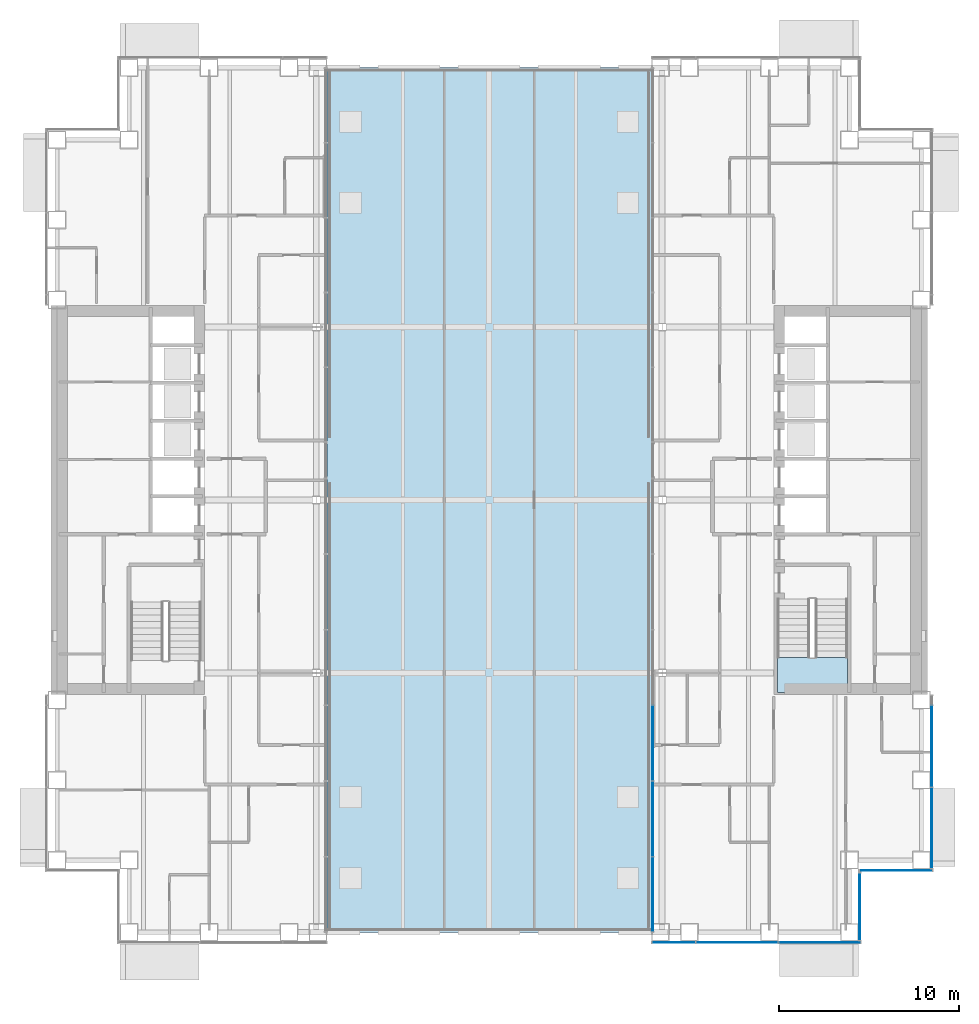
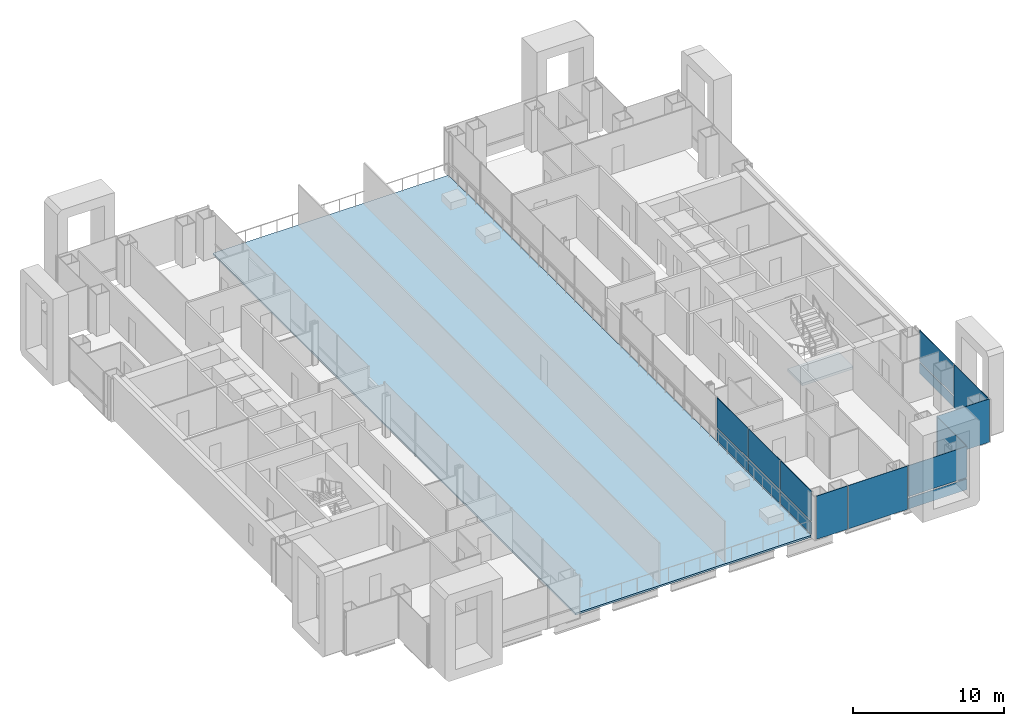
# One storey, part 13 of 24: 15 plates, 2 slabs, 6 elements without a shape of their own.
"""IFC4 building model written with IfcOpenShell, lengths in metres."""

from ifc_helpers import new_model, si_unit, direction, frame, origin, origin_2d, place, context, subcontext, project, spatial, polyline, rectangle, outline, extrude, material, layer, layer_set, type_object, element, aggregate, save


model = new_model("IFC4")

# Units and contexts
model_context = context("Model", 3, precision=1e-05, world=origin(), true_north=direction((0.0, 1.0)))
body_context = subcontext(model_context, "Body", "Model", "MODEL_VIEW")
ifc_project = project(units=[si_unit("LENGTHUNIT", "METRE"), si_unit("AREAUNIT", "SQUARE_METRE"), si_unit("VOLUMEUNIT", "CUBIC_METRE"), si_unit("PLANEANGLEUNIT", "RADIAN"), si_unit("MASSUNIT", "GRAM", prefix="KILO")], contexts=[model_context])

# Site, building, storey
site_placement = place(None, origin())
site = spatial("IfcSite", under=ifc_project, at=site_placement, CompositionType="ELEMENT")
building_placement = place(site_placement, origin())
building = spatial("IfcBuilding", under=site, at=building_placement, Name="Cobrizo Arcos Hotel Tower", CompositionType="ELEMENT")
storey_placement = place(building_placement, frame((0.0, 0.0, 60.0)))
storey = spatial("IfcBuildingStorey", under=building, at=storey_placement, Name="L13", CompositionType="ELEMENT", Elevation=60.0)

# Curtain wall, plate
ifc_material_1 = material(Name="Aluminium 6063-T6 anodised bronze", Category="aluminium")
curtain_wall_type_1 = type_object("IfcCurtainWallType", Name="CW-A guest facade", PredefinedType="NOTDEFINED", material=ifc_material_1)
curtain_wall_1_placement = place(storey_placement, origin())
curtain_wall_1 = element("IfcCurtainWall", 1, at=curtain_wall_1_placement, inside=storey, type_object=curtain_wall_type_1, Name="CW-A L13 S face", PredefinedType="NOTDEFINED")
ifc_material_2 = material(Name="Glass clear laminated low-e", Category="glass")
ifc_layer_1 = layer(ifc_material_2, 0.0400390625)
ifc_layer_set_1 = layer_set([ifc_layer_1], Name="CW-A glass panel")
plate_type_1 = type_object("IfcPlateType", Name="CW-A glass panel", PredefinedType="CURTAIN_PANEL", material=ifc_layer_set_1)
plate_1_placement = place(storey_placement, frame((18.340576171875, -24.574951171875, 0.990234375), z_axis=(0.0, 0.0, 1.0), x_axis=(1.0, 0.0, 0.0)))
plate_1 = element("IfcPlate", 2, at=plate_1_placement, type_object=plate_type_1, Name="CW-A glass panel 594", PredefinedType="CURTAIN_PANEL", context=body_context, shape_type="SweptSolid", body=[
    extrude(rectangle(XDim=4.498779296875, YDim=0.0400390625, at=origin_2d()), origin(), (0.0, 0.0, 1.0), 2.510009765625),
])

curtain_wall_2_placement = place(storey_placement, origin())
curtain_wall_2 = element("IfcCurtainWall", 3, at=curtain_wall_2_placement, inside=storey, type_object=curtain_wall_type_1, Name="CW-A L13 E face", PredefinedType="NOTDEFINED")
plate_2_placement = place(storey_placement, frame((24.574951171875, -13.666748046875, 0.990234375), z_axis=(0.0, 0.0, 1.0), x_axis=(0.0, 1.0, 0.0)))
plate_2 = element("IfcPlate", 4, at=plate_2_placement, type_object=plate_type_1, Name="CW-A glass panel 598", PredefinedType="CURTAIN_PANEL", context=body_context, shape_type="SweptSolid", body=[
    extrude(rectangle(XDim=4.49560546875, YDim=0.0400390625, at=origin_2d()), origin(), (0.0, 0.0, 1.0), 2.510009765625),
])

# Plate
ifc_material_3 = material(Name="Aluminium composite panel pale metal", Category="aluminium")
ifc_layer_2 = layer(ifc_material_3, 0.0400390625)
ifc_layer_set_2 = layer_set([ifc_layer_2], Name="CW-A spandrel panel")
plate_type_2 = type_object("IfcPlateType", Name="CW-A spandrel panel", PredefinedType="CURTAIN_PANEL", material=ifc_layer_set_2)
plate_3_placement = place(storey_placement, frame((10.251220703125, -24.574951171875, 0.0), z_axis=(0.0, 0.0, 1.0), x_axis=(1.0, 0.0, 0.0)))
plate_3 = element("IfcPlate", 5, at=plate_3_placement, type_object=plate_type_2, Name="CW-A spandrel panel 592", PredefinedType="CURTAIN_PANEL", context=body_context, shape_type="SweptSolid", body=[
    extrude(rectangle(XDim=2.38232421875, YDim=0.0400390625, at=origin_2d()), origin(), (0.0, 0.0, 1.0), 3.5),
])

plate_4_placement = place(storey_placement, frame((13.7666015625, -24.574951171875, 0.0), z_axis=(0.0, 0.0, 1.0), x_axis=(1.0, 0.0, 0.0)))
plate_4 = element("IfcPlate", 6, at=plate_4_placement, type_object=plate_type_2, Name="CW-A spandrel panel 593", PredefinedType="CURTAIN_PANEL", context=body_context, shape_type="SweptSolid", body=[
    extrude(rectangle(XDim=4.52880859375, YDim=0.0400390625, at=origin_2d()), origin(), (0.0, 0.0, 1.0), 3.5),
])

plate_5_placement = place(storey_placement, frame((18.340576171875, -24.574951171875, 0.0), z_axis=(0.0, 0.0, 1.0), x_axis=(1.0, 0.0, 0.0)))
plate_5 = element("IfcPlate", 7, at=plate_5_placement, type_object=plate_type_2, Name="CW-A spandrel panel 594", PredefinedType="CURTAIN_PANEL", context=body_context, shape_type="SweptSolid", body=[
    extrude(rectangle(XDim=4.498779296875, YDim=0.0400390625, at=origin_2d()), origin(), (0.0, 0.0, 1.0), 0.8701171875),
])

aggregate(curtain_wall_1, [plate_3, plate_4, plate_5, plate_1])

# Curtain wall, plate
curtain_wall_3_placement = place(storey_placement, origin())
curtain_wall_3 = element("IfcCurtainWall", 8, at=curtain_wall_3_placement, inside=storey, type_object=curtain_wall_type_1, Name="CW-A L13 E face", PredefinedType="NOTDEFINED")
plate_6_placement = place(storey_placement, frame((20.574951171875, -22.574951171875, 0.0), z_axis=(0.0, 0.0, 1.0), x_axis=(0.0, 1.0, 0.0)))
plate_6 = element("IfcPlate", 9, at=plate_6_placement, type_object=plate_type_2, Name="CW-A spandrel panel 595", PredefinedType="CURTAIN_PANEL", context=body_context, shape_type="SweptSolid", body=[
    extrude(rectangle(XDim=3.72998046875, YDim=0.0400390625, at=origin_2d()), origin(), (0.0, 0.0, 1.0), 3.5),
])
aggregate(curtain_wall_3, [plate_6])

curtain_wall_4_placement = place(storey_placement, origin())
curtain_wall_4 = element("IfcCurtainWall", 10, at=curtain_wall_4_placement, inside=storey, type_object=curtain_wall_type_1, Name="CW-A L13 S face", PredefinedType="NOTDEFINED")
plate_7_placement = place(storey_placement, frame((22.574951171875, -20.574951171875, 0.0), z_axis=(0.0, 0.0, 1.0), x_axis=(1.0, 0.0, 0.0)))
plate_7 = element("IfcPlate", 11, at=plate_7_placement, type_object=plate_type_2, Name="CW-A spandrel panel 596", PredefinedType="CURTAIN_PANEL", context=body_context, shape_type="SweptSolid", body=[
    extrude(rectangle(XDim=4.030029296875, YDim=0.0400390625, at=origin_2d()), origin(), (0.0, 0.0, 1.0), 3.5),
])
aggregate(curtain_wall_4, [plate_7])

# Plate
plate_8_placement = place(storey_placement, frame((24.574951171875, -18.207275390625, 0.0), z_axis=(0.0, 0.0, 1.0), x_axis=(0.0, 1.0, 0.0)))
plate_8 = element("IfcPlate", 12, at=plate_8_placement, type_object=plate_type_2, Name="CW-A spandrel panel 597", PredefinedType="CURTAIN_PANEL", context=body_context, shape_type="SweptSolid", body=[
    extrude(rectangle(XDim=4.465576171875, YDim=0.0400390625, at=origin_2d()), origin(), (0.0, 0.0, 1.0), 3.5),
])

plate_9_placement = place(storey_placement, frame((24.574951171875, -13.666748046875, 0.0), z_axis=(0.0, 0.0, 1.0), x_axis=(0.0, 1.0, 0.0)))
plate_9 = element("IfcPlate", 13, at=plate_9_placement, type_object=plate_type_2, Name="CW-A spandrel panel 598", PredefinedType="CURTAIN_PANEL", context=body_context, shape_type="SweptSolid", body=[
    extrude(rectangle(XDim=4.49560546875, YDim=0.0400390625, at=origin_2d()), origin(), (0.0, 0.0, 1.0), 0.8701171875),
])

aggregate(curtain_wall_2, [plate_8, plate_9, plate_2])

# Curtain wall, plates
curtain_wall_type_2 = type_object("IfcCurtainWallType", Name="CW-F void screen", PredefinedType="NOTDEFINED", material=ifc_material_1)
curtain_wall_5_placement = place(storey_placement, origin())
curtain_wall_5 = element("IfcCurtainWall", 14, at=curtain_wall_5_placement, inside=storey, type_object=curtain_wall_type_2, Name="CW-F L13 void screen A", PredefinedType="NOTDEFINED")
ifc_layer_3 = layer(ifc_material_2, 0.0400390625)
ifc_layer_set_3 = layer_set([ifc_layer_3], Name="CW-F glass panel")
plate_type_3 = type_object("IfcPlateType", Name="CW-F glass panel", PredefinedType="CURTAIN_PANEL", material=ifc_layer_set_3)
plate_10_placement = place(storey_placement, frame((9.074951171875, -21.885009765625, 0.0), z_axis=(0.0, 0.0, 1.0), x_axis=(0.0, 1.0, 0.0)))
plate_10 = element("IfcPlate", 15, at=plate_10_placement, type_object=plate_type_3, Name="CW-F glass panel 2426", PredefinedType="CURTAIN_PANEL", context=body_context, shape_type="SweptSolid", body=[
    extrude(rectangle(XDim=4.110107421875, YDim=0.0400390625, at=origin_2d()), origin(), (0.0, 0.0, 1.0), 0.989990234375),
])
plate_11_placement = place(storey_placement, frame((9.074951171875, -21.885009765625, 1.10986328125), z_axis=(0.0, 0.0, 1.0), x_axis=(0.0, 1.0, 0.0)))
plate_11 = element("IfcPlate", 16, at=plate_11_placement, type_object=plate_type_3, Name="CW-F glass panel 2426", PredefinedType="CURTAIN_PANEL", context=body_context, shape_type="SweptSolid", body=[
    extrude(rectangle(XDim=4.110107421875, YDim=0.0400390625, at=origin_2d()), origin(), (0.0, 0.0, 1.0), 2.389892578125),
])
plate_12_placement = place(storey_placement, frame((9.074951171875, -17.699951171875, 0.0), z_axis=(0.0, 0.0, 1.0), x_axis=(0.0, 1.0, 0.0)))
plate_12 = element("IfcPlate", 17, at=plate_12_placement, type_object=plate_type_3, Name="CW-F glass panel 2427", PredefinedType="CURTAIN_PANEL", context=body_context, shape_type="SweptSolid", body=[
    extrude(rectangle(XDim=4.139892578125, YDim=0.0400390625, at=origin_2d()), origin(), (0.0, 0.0, 1.0), 0.989990234375),
])
plate_13_placement = place(storey_placement, frame((9.074951171875, -17.699951171875, 1.10986328125), z_axis=(0.0, 0.0, 1.0), x_axis=(0.0, 1.0, 0.0)))
plate_13 = element("IfcPlate", 18, at=plate_13_placement, type_object=plate_type_3, Name="CW-F glass panel 2427", PredefinedType="CURTAIN_PANEL", context=body_context, shape_type="SweptSolid", body=[
    extrude(rectangle(XDim=4.139892578125, YDim=0.0400390625, at=origin_2d()), origin(), (0.0, 0.0, 1.0), 2.389892578125),
])
plate_14_placement = place(storey_placement, frame((9.074951171875, -13.5, 0.0), z_axis=(0.0, 0.0, 1.0), x_axis=(0.0, 1.0, 0.0)))
plate_14 = element("IfcPlate", 19, at=plate_14_placement, type_object=plate_type_3, Name="CW-F glass panel 2428", PredefinedType="CURTAIN_PANEL", context=body_context, shape_type="SweptSolid", body=[
    extrude(rectangle(XDim=4.139892578125, YDim=0.0400390625, at=origin_2d()), origin(), (0.0, 0.0, 1.0), 0.989990234375),
])
plate_15_placement = place(storey_placement, frame((9.074951171875, -13.5, 1.10986328125), z_axis=(0.0, 0.0, 1.0), x_axis=(0.0, 1.0, 0.0)))
plate_15 = element("IfcPlate", 20, at=plate_15_placement, type_object=plate_type_3, Name="CW-F glass panel 2428", PredefinedType="CURTAIN_PANEL", context=body_context, shape_type="SweptSolid", body=[
    extrude(rectangle(XDim=4.139892578125, YDim=0.0400390625, at=origin_2d()), origin(), (0.0, 0.0, 1.0), 2.389892578125),
])
aggregate(curtain_wall_5, [plate_10, plate_11, plate_12, plate_13, plate_14, plate_15])

# Slab
ifc_material_4 = material(Name="Concrete f'c 35 MPa", Category="concrete")
ifc_layer_4 = layer(ifc_material_4, 0.14990234375)
ifc_layer_set_4 = layer_set([ifc_layer_4], Name="Composite floor slab 150 f'c 35")
slab_type_1 = type_object("IfcSlabType", Name="Composite floor slab 150 f'c 35", PredefinedType="FLOOR", material=ifc_layer_set_4)
slab_1_placement = place(storey_placement, frame((0.0, 0.0, -0.14990234375)))
element("IfcSlab", 21, at=slab_1_placement, inside=storey, type_object=slab_type_1, Name="Floor slab S5, L13, no. 03", PredefinedType="FLOOR", context=body_context, shape_type="SweptSolid", body=[
    extrude(outline(polyline([(-9.0, 24.0), (9.0, 24.0), (9.0, 23.5), (9.0, -23.5), (9.0, -24.0), (-9.0, -24.0), (-9.0, -23.5), (-9.0, 23.5), (-9.0, 24.0)])), origin(), (0.0, 0.0, 1.0), 0.14990234375),
])

# Stair, slab
ifc_material_5 = material(Name="Concrete f'c 40 MPa", Category="concrete")
stair_type = type_object("IfcStairType", Name="Exit stair", PredefinedType="HALF_TURN_STAIR", material=ifc_material_5)
stair_placement = place(storey_placement, origin())
stair = element("IfcStair", 22, at=stair_placement, inside=storey, type_object=stair_type, Name="L13 Exit stair ST-E", PredefinedType="HALF_TURN_STAIR")
ifc_layer_5 = layer(ifc_material_5, 0.199951171875)
ifc_layer_set_5 = layer_set([ifc_layer_5], Name="Stair landing")
slab_type_2 = type_object("IfcSlabType", Name="Stair landing", PredefinedType="LANDING", material=ifc_layer_set_5)
slab_2_placement = place(storey_placement, frame((0.0, 0.0, 1.550048828125)))
slab_2 = element("IfcSlab", 23, at=slab_2_placement, type_object=slab_type_2, Name="ST-E landing 1", PredefinedType="LANDING", context=body_context, shape_type="SweptSolid", body=[
    extrude(outline(polyline([(16.0, -8.739990234375), (16.0, -10.699951171875), (19.89990234375, -10.699951171875), (19.89990234375, -8.739990234375), (16.0, -8.739990234375)])), origin(), (0.0, 0.0, 1.0), 0.199951171875),
])
aggregate(stair, [slab_2])

save(model, "model.ifc")
